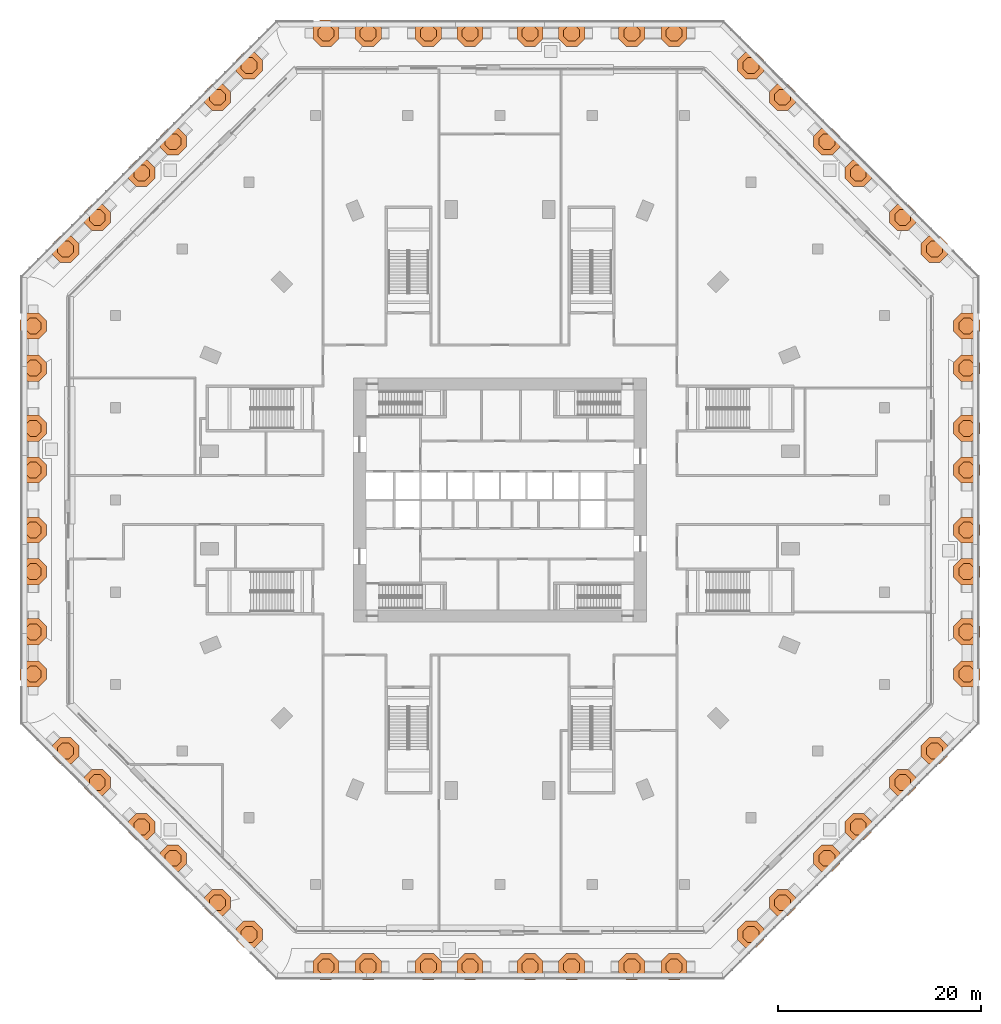
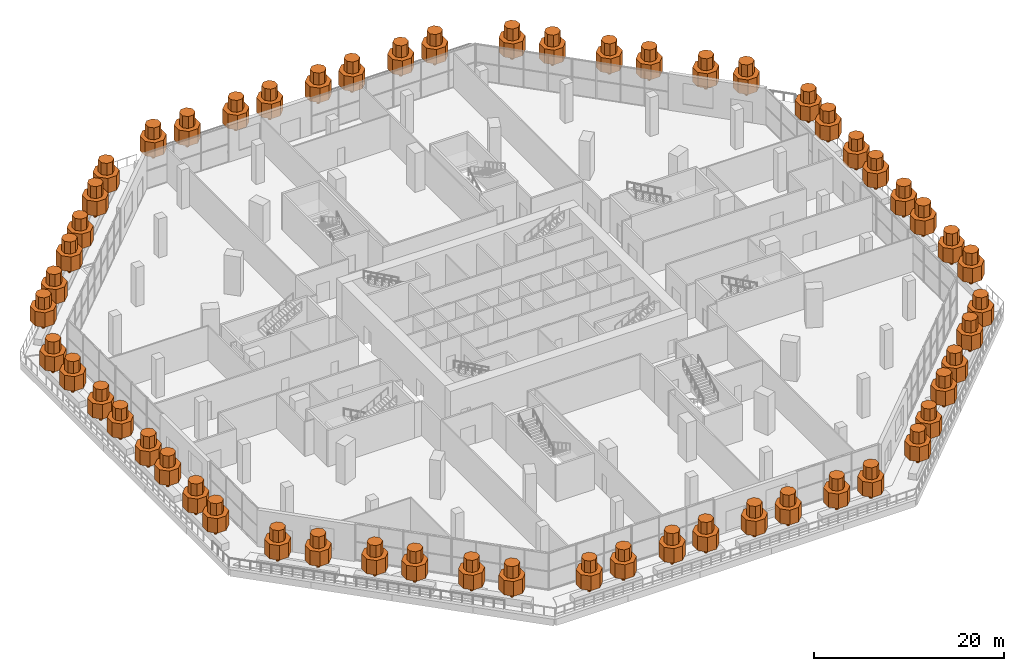
# One storey, part 32 of 32: 56 geographic elements.
"""IFC4 building model written with IfcOpenShell, lengths in metres."""

from ifc_helpers import new_model, si_unit, direction, frame, origin, place, context, subcontext, project, spatial, polyline, outline, extrude, material, type_object, element, save


model = new_model("IFC4")

# Units and contexts
model_context = context("Model", 3, precision=1e-05, world=origin(), true_north=direction((0.0, 1.0)))
body_context = subcontext(model_context, "Body", "Model", "MODEL_VIEW")
ifc_project = project(units=[si_unit("LENGTHUNIT", "METRE"), si_unit("AREAUNIT", "SQUARE_METRE"), si_unit("VOLUMEUNIT", "CUBIC_METRE"), si_unit("PLANEANGLEUNIT", "RADIAN"), si_unit("MASSUNIT", "GRAM", prefix="KILO")], contexts=[model_context])

# Site, building, storey
site_placement = place(None, origin())
site = spatial("IfcSite", under=ifc_project, at=site_placement, CompositionType="ELEMENT")
building_placement = place(site_placement, origin())
building = spatial("IfcBuilding", under=site, at=building_placement, Name="Msitu Wima Residences", CompositionType="ELEMENT")
storey_placement = place(building_placement, frame((0.0, 0.0, 6.0)))
storey = spatial("IfcBuildingStorey", under=building, at=storey_placement, Name="L01", CompositionType="ELEMENT", Elevation=6.0)

# Geographic elements
ifc_material = material(Name="Foliage and planting")
geographic_element_type = type_object("IfcGeographicElementType", Name="Tree TR1", PredefinedType="USERDEFINED", material=ifc_material)
for number, where, z_axis, x_axis, name in (
    (1, (45.89990234375, -17.11279296875, 0.89990234375), (0.0, 0.0, 1.0), (1.0, 0.0, 0.0), "Tree terrace L01-E01"),
    (2, (45.89990234375, -12.96826171875, 0.89990234375), (0.0, 0.0, 1.0), (1.0, 0.0, 0.0), "Tree terrace L01-E02"),
    (3, (45.89990234375, -7.046875, 0.89990234375), (0.0, 0.0, 1.0), (1.0, 0.0, 0.0), "Tree terrace L01-E11"),
    (4, (45.89990234375, -2.948974609375, 0.89990234375), (0.0, 0.0, 1.0), (1.0, 0.0, 0.0), "Tree terrace L01-E12"),
    (5, (45.89990234375, 2.948974609375, 0.89990234375), (0.0, 0.0, 1.0), (1.0, 0.0, 0.0), "Tree terrace L01-E21"),
    (6, (45.89990234375, 7.046875, 0.89990234375), (0.0, 0.0, 1.0), (1.0, 0.0, 0.0), "Tree terrace L01-E22"),
    (7, (45.89990234375, 12.96826171875, 0.89990234375), (0.0, 0.0, 1.0), (1.0, 0.0, 0.0), "Tree terrace L01-E31"),
    (8, (45.89990234375, 17.11279296875, 0.89990234375), (0.0, 0.0, 1.0), (1.0, 0.0, 0.0), "Tree terrace L01-E32"),
    (9, (42.7177734375, 24.665283203125, 0.89990234375), (0.0, 0.0, 1.0), (1.0, 0.0, 0.0), "Tree terrace L01-NE01"),
    (10, (39.603271484375, 27.77978515625, 0.89990234375), (0.0, 0.0, 1.0), (1.0, 0.0, 0.0), "Tree terrace L01-NE02"),
    (11, (35.232421875, 32.150634765625, 0.89990234375), (0.0, 0.0, 1.0), (1.0, 0.0, 0.0), "Tree terrace L01-NE11"),
    (12, (32.150634765625, 35.232421875, 0.89990234375), (0.0, 0.0, 1.0), (1.0, 0.0, 0.0), "Tree terrace L01-NE12"),
    (13, (27.77978515625, 39.603271484375, 0.89990234375), (0.0, 0.0, 1.0), (1.0, 0.0, 0.0), "Tree terrace L01-NE21"),
    (14, (24.665283203125, 42.7177734375, 0.89990234375), (0.0, 0.0, 1.0), (1.0, 0.0, 0.0), "Tree terrace L01-NE22"),
    (15, (17.11279296875, 45.89990234375, 0.89990234375), (0.0, 0.0, 1.0), (1.0, 0.0, 0.0), "Tree terrace L01-N01"),
    (16, (12.96826171875, 45.89990234375, 0.89990234375), (0.0, 0.0, 1.0), (1.0, 0.0, 0.0), "Tree terrace L01-N02"),
    (17, (7.046875, 45.89990234375, 0.89990234375), (0.0, 0.0, 1.0), (1.0, 0.0, 0.0), "Tree terrace L01-N11"),
    (18, (2.948974609375, 45.89990234375, 0.89990234375), (0.0, 0.0, 1.0), (1.0, 0.0, 0.0), "Tree terrace L01-N12"),
    (19, (-2.948974609375, 45.89990234375, 0.89990234375), (0.0, 0.0, 1.0), (1.0, 0.0, 0.0), "Tree terrace L01-N21"),
    (20, (-7.046875, 45.89990234375, 0.89990234375), (0.0, 0.0, 1.0), (1.0, 0.0, 0.0), "Tree terrace L01-N22"),
    (21, (-12.96826171875, 45.89990234375, 0.89990234375), (0.0, 0.0, 1.0), (1.0, 0.0, 0.0), "Tree terrace L01-N31"),
    (22, (-17.11279296875, 45.89990234375, 0.89990234375), (0.0, 0.0, 1.0), (1.0, 0.0, 0.0), "Tree terrace L01-N32"),
    (23, (-24.665283203125, 42.7177734375, 0.89990234375), (0.0, 0.0, 1.0), (1.0, 0.0, 0.0), "Tree terrace L01-NW01"),
    (24, (-27.77978515625, 39.603271484375, 0.89990234375), (0.0, 0.0, 1.0), (1.0, 0.0, 0.0), "Tree terrace L01-NW02"),
    (25, (-32.150634765625, 35.232421875, 0.89990234375), (0.0, 0.0, 1.0), (1.0, 0.0, 0.0), "Tree terrace L01-NW11"),
    (26, (-35.232421875, 32.150634765625, 0.89990234375), (0.0, 0.0, 1.0), (1.0, 0.0, 0.0), "Tree terrace L01-NW12"),
    (27, (-39.603271484375, 27.77978515625, 0.89990234375), (0.0, 0.0, 1.0), (1.0, 0.0, 0.0), "Tree terrace L01-NW21"),
    (28, (-42.7177734375, 24.665283203125, 0.89990234375), (0.0, 0.0, 1.0), (1.0, 0.0, 0.0), "Tree terrace L01-NW22"),
    (29, (-45.89990234375, 17.11279296875, 0.89990234375), (0.0, 0.0, 1.0), (1.0, 0.0, 0.0), "Tree terrace L01-W01"),
    (30, (-45.89990234375, 12.96826171875, 0.89990234375), (0.0, 0.0, 1.0), (1.0, 0.0, 0.0), "Tree terrace L01-W02"),
    (31, (-45.89990234375, 7.046875, 0.89990234375), (0.0, 0.0, 1.0), (1.0, 0.0, 0.0), "Tree terrace L01-W11"),
    (32, (-45.89990234375, 2.948974609375, 0.89990234375), (0.0, 0.0, 1.0), (1.0, 0.0, 0.0), "Tree terrace L01-W12"),
    (33, (-45.89990234375, -2.948974609375, 0.89990234375), (0.0, 0.0, 1.0), (1.0, 0.0, 0.0), "Tree terrace L01-W21"),
    (34, (-45.89990234375, -7.046875, 0.89990234375), (0.0, 0.0, 1.0), (1.0, 0.0, 0.0), "Tree terrace L01-W22"),
    (35, (-45.89990234375, -12.96826171875, 0.89990234375), (0.0, 0.0, 1.0), (1.0, 0.0, 0.0), "Tree terrace L01-W31"),
    (36, (-45.89990234375, -17.11279296875, 0.89990234375), (0.0, 0.0, 1.0), (1.0, 0.0, 0.0), "Tree terrace L01-W32"),
    (37, (-42.7177734375, -24.665283203125, 0.89990234375), (0.0, 0.0, 1.0), (1.0, 0.0, 0.0), "Tree terrace L01-SW01"),
    (38, (-39.603271484375, -27.77978515625, 0.89990234375), (0.0, 0.0, 1.0), (1.0, 0.0, 0.0), "Tree terrace L01-SW02"),
    (39, (-35.232421875, -32.150634765625, 0.89990234375), (0.0, 0.0, 1.0), (1.0, 0.0, 0.0), "Tree terrace L01-SW11"),
    (40, (-32.150634765625, -35.232421875, 0.89990234375), (0.0, 0.0, 1.0), (1.0, 0.0, 0.0), "Tree terrace L01-SW12"),
    (41, (-27.77978515625, -39.603271484375, 0.89990234375), (0.0, 0.0, 1.0), (1.0, 0.0, 0.0), "Tree terrace L01-SW21"),
    (42, (-24.665283203125, -42.7177734375, 0.89990234375), (0.0, 0.0, 1.0), (1.0, 0.0, 0.0), "Tree terrace L01-SW22"),
    (43, (-17.11279296875, -45.89990234375, 0.89990234375), (0.0, 0.0, 1.0), (1.0, 0.0, 0.0), "Tree terrace L01-S01"),
    (44, (-12.96826171875, -45.89990234375, 0.89990234375), (0.0, 0.0, 1.0), (1.0, 0.0, 0.0), "Tree terrace L01-S02"),
    (45, (-7.046875, -45.89990234375, 0.89990234375), (0.0, 0.0, 1.0), (1.0, 0.0, 0.0), "Tree terrace L01-S11"),
    (46, (-2.948974609375, -45.89990234375, 0.89990234375), (0.0, 0.0, 1.0), (1.0, 0.0, 0.0), "Tree terrace L01-S12"),
    (47, (2.948974609375, -45.89990234375, 0.89990234375), (0.0, 0.0, 1.0), (1.0, 0.0, 0.0), "Tree terrace L01-S21"),
    (48, (7.046875, -45.89990234375, 0.89990234375), (0.0, 0.0, 1.0), (1.0, 0.0, 0.0), "Tree terrace L01-S22"),
    (49, (12.96826171875, -45.89990234375, 0.89990234375), (0.0, 0.0, 1.0), (1.0, 0.0, 0.0), "Tree terrace L01-S31"),
    (50, (17.11279296875, -45.89990234375, 0.89990234375), (0.0, 0.0, 1.0), (1.0, 0.0, 0.0), "Tree terrace L01-S32"),
    (51, (24.665283203125, -42.7177734375, 0.89990234375), (0.0, 0.0, 1.0), (1.0, 0.0, 0.0), "Tree terrace L01-SE01"),
    (52, (27.77978515625, -39.603271484375, 0.89990234375), (0.0, 0.0, 1.0), (1.0, 0.0, 0.0), "Tree terrace L01-SE02"),
    (53, (32.150634765625, -35.232421875, 0.89990234375), (0.0, 0.0, 1.0), (1.0, 0.0, 0.0), "Tree terrace L01-SE11"),
    (54, (35.232421875, -32.150634765625, 0.89990234375), (0.0, 0.0, 1.0), (1.0, 0.0, 0.0), "Tree terrace L01-SE12"),
    (55, (39.603271484375, -27.77978515625, 0.89990234375), (0.0, 0.0, 1.0), (1.0, 0.0, 0.0), "Tree terrace L01-SE21"),
    (56, (42.7177734375, -24.665283203125, 0.89990234375), (0.0, 0.0, 1.0), (1.0, 0.0, 0.0), "Tree terrace L01-SE22"),
):
    element("IfcGeographicElement", number, at=place(storey_placement, frame(where, z_axis=z_axis, x_axis=x_axis)), inside=storey, type_object=geographic_element_type, Name=name, ObjectType="TREE", PredefinedType="USERDEFINED", context=body_context, shape_type="SweptSolid", body=[
        extrude(outline(polyline([(0.175048828125, 0.072509765625), (0.072509765625, 0.175048828125), (-0.072509765625, 0.175048828125), (-0.175048828125, 0.072509765625), (-0.175048828125, -0.072509765625), (-0.072509765625, -0.175048828125), (0.072509765625, -0.175048828125), (0.175048828125, -0.072509765625), (0.175048828125, 0.072509765625)])), origin(), (0.0, 0.0, 1.0), 1.10009765625),
        extrude(outline(polyline([(1.300048828125, 0.53857421875), (0.53857421875, 1.300048828125), (-0.53857421875, 1.300048828125), (-1.300048828125, 0.53857421875), (-1.300048828125, -0.53857421875), (-0.53857421875, -1.300048828125), (0.53857421875, -1.300048828125), (1.300048828125, -0.53857421875), (1.300048828125, 0.53857421875)])), frame((0.0, 0.0, 1.0)), (0.0, 0.0, 1.0), 1.8701171875),
        extrude(outline(polyline([(0.780029296875, 0.322998046875), (0.322998046875, 0.780029296875), (-0.322998046875, 0.780029296875), (-0.780029296875, 0.322998046875), (-0.780029296875, -0.322998046875), (-0.322998046875, -0.780029296875), (0.322998046875, -0.780029296875), (0.780029296875, -0.322998046875), (0.780029296875, 0.322998046875)])), frame((0.0, 0.0, 2.8701171875)), (0.0, 0.0, 1.0), 1.530029296875),
    ])

save(model, "model.ifc")
